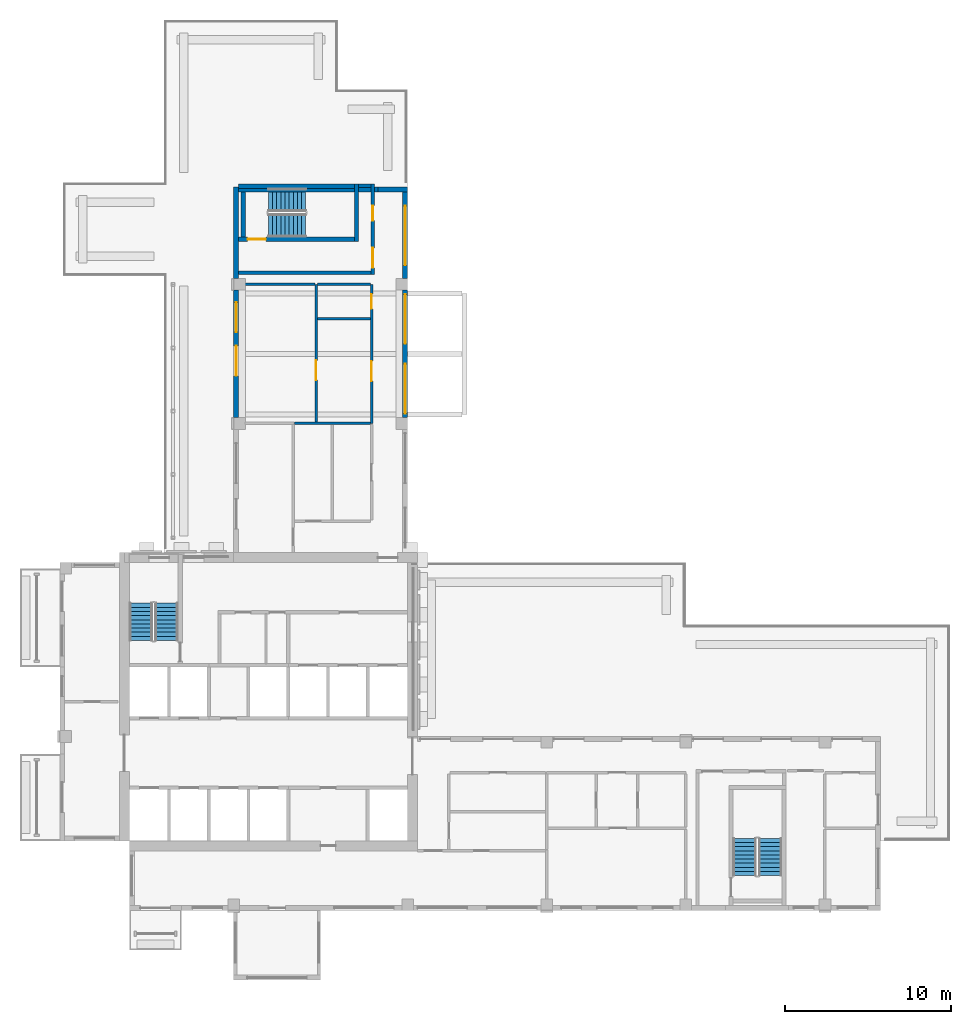
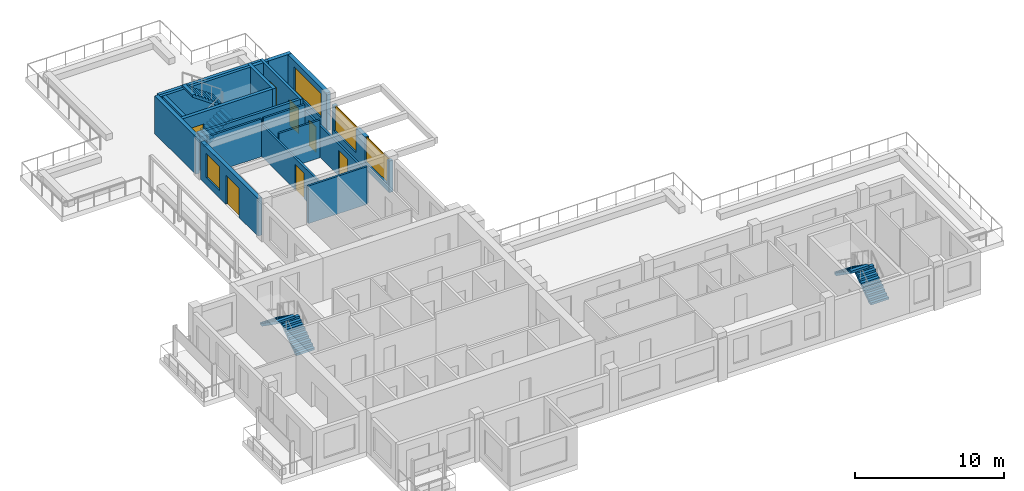
# One storey, part 7 of 12: 19 walls, 7 doors, 6 stair flights, 4 windows, 11 openings, 3 elements without a shape of their own.
"""IFC4 building model written with IfcOpenShell, lengths in metres."""

from ifc_helpers import new_model, si_unit, direction, frame, frame_2d, origin, place, context, subcontext, project, spatial, polyline, rectangle, outline, extrude, source, transform, mapped, material, layer, layer_set, type_object, element, fill, aggregate, save


model = new_model("IFC4")

# Units and contexts
model_context = context("Model", 3, precision=1e-05, world=origin(), true_north=direction((0.0, 1.0)))
body_context = subcontext(model_context, "Body", "Model", "MODEL_VIEW")
ifc_project = project(units=[si_unit("LENGTHUNIT", "METRE"), si_unit("AREAUNIT", "SQUARE_METRE"), si_unit("VOLUMEUNIT", "CUBIC_METRE"), si_unit("PLANEANGLEUNIT", "RADIAN"), si_unit("MASSUNIT", "GRAM", prefix="KILO")], contexts=[model_context])

# Site, building, storey
site_placement = place(None, origin())
site = spatial("IfcSite", under=ifc_project, at=site_placement, CompositionType="ELEMENT")
building_placement = place(site_placement, origin())
building = spatial("IfcBuilding", under=site, at=building_placement, Name="Aurelian Terraces", CompositionType="ELEMENT")
storey_placement = place(building_placement, frame((0.0, 0.0, 284.5)))
storey = spatial("IfcBuildingStorey", under=building, at=storey_placement, Name="L64", CompositionType="ELEMENT", Elevation=284.5)

# Wall, openings, windows
ifc_material_1 = material(Name="Terracotta rainscreen cladding", Category="masonry")
ifc_layer_1 = layer(ifc_material_1, 0.3)
ifc_layer_set_1 = layer_set([ifc_layer_1], Name="EW-300")
wall_type_1 = type_object("IfcWallType", Name="EW-300", PredefinedType="STANDARD", material=ifc_layer_set_1)
wall_1_placement = place(storey_placement, frame((20.85, 29.75, 0.0), z_axis=(0.0, 0.0, 1.0), x_axis=(0.0, 1.0, 0.0)))
wall_1 = element("IfcWall", 1, at=wall_1_placement, inside=storey, type_object=wall_type_1, Name="External wall L64 F04.12", PredefinedType="STANDARD", context=body_context, shape_type="SweptSolid", body=[
    extrude(rectangle(XDim=7.7, YDim=0.3, at=frame_2d((3.85, 0.0))), origin(), (0.0, 0.0, 1.0), 2.6),
])
shared_shape_1 = source(origin(), body_context, "Body", "SweptSolid", [
    extrude(rectangle(XDim=3.0, YDim=2.0, at=frame_2d((1.5, 1.0))), frame((0.0, 0.16, 0.0), z_axis=(0.0, -1.0, 0.0), x_axis=(1.0, 0.0, 0.0)), (0.0, 0.0, 1.0), 0.32),
])
opening_1_placement = place(wall_1_placement, frame((0.25, 0.0, 0.6)))
opening_1 = element("IfcOpeningElement", 2, at=opening_1_placement, cuts=wall_1, Name="Opening W3020", PredefinedType="OPENING", context=body_context, shape_type="MappedRepresentation", body=[
    mapped(shared_shape_1, transform((0.0, 0.0, 0.0), scale=1.0)),
])
opening_2_placement = place(wall_1_placement, frame((4.45, 0.0, 0.6)))
opening_2 = element("IfcOpeningElement", 3, at=opening_2_placement, cuts=wall_1, Name="Opening W3020", PredefinedType="OPENING", context=body_context, shape_type="MappedRepresentation", body=[
    mapped(shared_shape_1, transform((0.0, 0.0, 0.0), scale=1.0)),
])
ifc_material_2 = material(Name="Clear glazing", Category="glass")
window_type_1 = type_object("IfcWindowType", Name="W-3000x2000", PartitioningType="SINGLE_PANEL", PredefinedType="WINDOW", material=ifc_material_2)
shared_shape_2 = source(origin(), body_context, "Body", "SweptSolid", [
    extrude(rectangle(XDim=3.0, YDim=2.0, at=frame_2d((1.5, 1.0))), frame((0.0, 0.03, 0.0), z_axis=(0.0, -1.0, 0.0), x_axis=(1.0, 0.0, 0.0)), (0.0, 0.0, 1.0), 0.06),
])
window_1_placement = place(opening_1_placement, origin())
window_1 = element("IfcWindow", 4, at=window_1_placement, inside=storey, type_object=window_type_1, Name="Window L64 L64-F04-12-0", OverallHeight=2.0, OverallWidth=3.0, PartitioningType="SINGLE_PANEL", PredefinedType="WINDOW", context=body_context, shape_type="MappedRepresentation", body=[
    mapped(shared_shape_2, transform((0.0, 0.0, 0.0), scale=1.0)),
])
fill(opening_1, window_1)
window_2_placement = place(opening_2_placement, origin())
window_2 = element("IfcWindow", 5, at=window_2_placement, inside=storey, type_object=window_type_1, Name="Window L64 L64-F04-12-1", OverallHeight=2.0, OverallWidth=3.0, PartitioningType="SINGLE_PANEL", PredefinedType="WINDOW", context=body_context, shape_type="MappedRepresentation", body=[
    mapped(shared_shape_2, transform((0.0, 0.0, 0.0), scale=1.0)),
])
fill(opening_2, window_2)

# Wall, opening, window
wall_2_placement = place(storey_placement, frame((20.85, 38.15, 0.0), z_axis=(0.0, 0.0, 1.0), x_axis=(0.0, 1.0, 0.0)))
wall_2 = element("IfcWall", 6, at=wall_2_placement, inside=storey, type_object=wall_type_1, Name="External wall L64 F04.13", PredefinedType="STANDARD", context=body_context, shape_type="SweptSolid", body=[
    extrude(rectangle(XDim=5.53, YDim=0.3, at=frame_2d((2.765, 0.0))), origin(), (0.0, 0.0, 1.0), 3.1),
])
shared_shape_3 = source(origin(), body_context, "Body", "SweptSolid", [
    extrude(rectangle(XDim=3.6, YDim=2.0, at=frame_2d((1.8, 1.0))), frame((0.0, 0.16, 0.0), z_axis=(0.0, -1.0, 0.0), x_axis=(1.0, 0.0, 0.0)), (0.0, 0.0, 1.0), 0.32),
])
opening_3_placement = place(wall_2_placement, frame((0.79, 0.0, 0.6)))
opening_3 = element("IfcOpeningElement", 7, at=opening_3_placement, cuts=wall_2, Name="Opening W3620", PredefinedType="OPENING", context=body_context, shape_type="MappedRepresentation", body=[
    mapped(shared_shape_3, transform((0.0, 0.0, 0.0), scale=1.0)),
])
window_type_2 = type_object("IfcWindowType", Name="W-3600x2000", PartitioningType="SINGLE_PANEL", PredefinedType="WINDOW", material=ifc_material_2)
shared_shape_4 = source(origin(), body_context, "Body", "SweptSolid", [
    extrude(rectangle(XDim=3.6, YDim=2.0, at=frame_2d((1.8, 1.0))), frame((0.0, 0.03, 0.0), z_axis=(0.0, -1.0, 0.0), x_axis=(1.0, 0.0, 0.0)), (0.0, 0.0, 1.0), 0.06),
])
window_3_placement = place(opening_3_placement, origin())
window_3 = element("IfcWindow", 8, at=window_3_placement, inside=storey, type_object=window_type_2, Name="Window L64 L64-F04-13-0", OverallHeight=2.0, OverallWidth=3.6, PartitioningType="SINGLE_PANEL", PredefinedType="WINDOW", context=body_context, shape_type="MappedRepresentation", body=[
    mapped(shared_shape_4, transform((0.0, 0.0, 0.0), scale=1.0)),
])
fill(opening_3, window_3)

# Wall
wall_3_placement = place(storey_placement, frame((21.0, 43.53, 0.0), z_axis=(0.0, 0.0, 1.0), x_axis=(-1.0, 0.0, 0.0)))
element("IfcWall", 9, at=wall_3_placement, inside=storey, type_object=wall_type_1, Name="External wall L64 F05.14", PredefinedType="STANDARD", context=body_context, shape_type="SweptSolid", body=[
    extrude(rectangle(XDim=1.8, YDim=0.3, at=frame_2d((0.9, 0.0))), origin(), (0.0, 0.0, 1.0), 3.1),
])

# Wall, opening, door
ifc_material_3 = material(Name="Gypsum board on steel studs", Category="steel")
ifc_layer_2 = layer(ifc_material_3, 0.15)
ifc_layer_set_2 = layer_set([ifc_layer_2], Name="Partition 150")
wall_type_2 = type_object("IfcWallType", Name="Partition 150", PredefinedType="PARTITIONING", material=ifc_layer_set_2)
wall_4_placement = place(storey_placement, frame((15.475, 29.4, 0.0), z_axis=(0.0, 0.0, 1.0), x_axis=(0.0, 1.0, 0.0)))
wall_4 = element("IfcWall", 10, at=wall_4_placement, inside=storey, type_object=wall_type_2, Name="Partition", PredefinedType="PARTITIONING", context=body_context, shape_type="SweptSolid", body=[
    extrude(rectangle(XDim=8.4, YDim=0.15, at=frame_2d((4.2, 0.0))), origin(), (0.0, 0.0, 1.0), 2.6),
])
shared_shape_5 = source(origin(), body_context, "Body", "SweptSolid", [
    extrude(rectangle(XDim=1.2, YDim=2.1, at=frame_2d((0.6, 1.05))), frame((0.0, 0.085, 0.0), z_axis=(0.0, -1.0, 0.0), x_axis=(1.0, 0.0, 0.0)), (0.0, 0.0, 1.0), 0.17),
])
opening_4_placement = place(wall_4_placement, frame((2.6125, 0.0, 0.0)))
opening_4 = element("IfcOpeningElement", 11, at=opening_4_placement, cuts=wall_4, Name="Opening 764015", PredefinedType="OPENING", context=body_context, shape_type="MappedRepresentation", body=[
    mapped(shared_shape_5, transform((0.0, 0.0, 0.0), scale=1.0)),
])
ifc_material_4 = material(Name="Timber door leaf", Category="wood")
door_type_1 = type_object("IfcDoorType", Name="Room door 1200x2100 right", OperationType="SINGLE_SWING_RIGHT", PredefinedType="DOOR", material=ifc_material_4)
shared_shape_6 = source(origin(), body_context, "Body", "SweptSolid", [
    extrude(rectangle(XDim=1.2, YDim=2.1, at=frame_2d((0.6, 1.05))), frame((0.0, 0.025, 0.0), z_axis=(0.0, -1.0, 0.0), x_axis=(1.0, 0.0, 0.0)), (0.0, 0.0, 1.0), 0.05),
])
door_1_placement = place(opening_4_placement, origin())
door_1 = element("IfcDoor", 12, at=door_1_placement, inside=storey, type_object=door_type_1, Name="Door 764015", OperationType="SINGLE_SWING_RIGHT", OverallHeight=2.1, OverallWidth=1.2, PredefinedType="DOOR", context=body_context, shape_type="MappedRepresentation", body=[
    mapped(shared_shape_6, transform((0.0, 0.0, 0.0), scale=1.0)),
])
fill(opening_4, door_1)

# Walls
ifc_material_5 = material(Name="Concrete fc' 40 MPa", Category="concrete")
ifc_layer_3 = layer(ifc_material_5, 0.3)
ifc_layer_set_3 = layer_set([ifc_layer_3], Name="STAIR BAY WALL 300")
wall_type_3 = type_object("IfcWallType", Name="STAIR BAY WALL 300", PredefinedType="SOLIDWALL", material=ifc_layer_set_3)
wall_5_placement = place(storey_placement, frame((19.2, 43.53, 0.0), z_axis=(0.0, 0.0, 1.0), x_axis=(-1.0, 0.0, 0.0)))
element("IfcWall", 13, at=wall_5_placement, inside=storey, type_object=wall_type_3, Name="Stair bay wall L64 F05.14", PredefinedType="SOLIDWALL", context=body_context, shape_type="SweptSolid", body=[
    extrude(rectangle(XDim=8.6, YDim=0.3, at=frame_2d((4.3, 0.0))), origin(), (0.0, 0.0, 1.0), 3.1),
])
wall_6_placement = place(storey_placement, frame((10.65, 43.68, 0.0), z_axis=(0.0, 0.0, 1.0), x_axis=(0.0, -1.0, 0.0)))
element("IfcWall", 14, at=wall_6_placement, inside=storey, type_object=wall_type_3, Name="Stair bay wall L64 F06.15", PredefinedType="SOLIDWALL", context=body_context, shape_type="SweptSolid", body=[
    extrude(rectangle(XDim=5.53, YDim=0.3, at=frame_2d((2.765, 0.0))), origin(), (0.0, 0.0, 1.0), 3.1),
])
ifc_layer_4 = layer(ifc_material_5, 0.25)
ifc_layer_set_4 = layer_set([ifc_layer_4], Name="Stair enclosure wall 250")
wall_type_4 = type_object("IfcWallType", Name="Stair enclosure wall 250", PredefinedType="SOLIDWALL", material=ifc_layer_set_4)
wall_7_placement = place(storey_placement, frame((11.075, 40.65, 0.0), z_axis=(0.0, 0.0, 1.0), x_axis=(0.0, 1.0, 0.0)))
element("IfcWall", 15, at=wall_7_placement, inside=storey, type_object=wall_type_4, Name="L64 core wall ST-S3U-SS", PredefinedType="SOLIDWALL", context=body_context, shape_type="SweptSolid", body=[
    extrude(rectangle(XDim=2.73, YDim=0.25, at=frame_2d((1.365, 0.0))), origin(), (0.0, 0.0, 1.0), 3.1),
])

# Wall, openings, door, window
shared_shape_7 = source(origin(), body_context, "Body", "SweptSolid", [
    extrude(rectangle(XDim=7.7, YDim=0.3, at=frame_2d((3.85, 0.0))), origin(), (0.0, 0.0, 1.0), 3.1),
])
wall_8_placement = place(storey_placement, frame((10.65, 37.45, 0.0), z_axis=(0.0, 0.0, 1.0), x_axis=(0.0, -1.0, 0.0)))
wall_8 = element("IfcWall", 16, at=wall_8_placement, inside=storey, type_object=wall_type_1, Name="External wall L64 F06.15", PredefinedType="STANDARD", context=body_context, shape_type="MappedRepresentation", body=[
    mapped(shared_shape_7, transform((0.0, 0.0, 0.0), scale=1.0)),
])
shared_shape_8 = source(origin(), body_context, "Body", "SweptSolid", [
    extrude(rectangle(XDim=1.8, YDim=2.4, at=frame_2d((0.9, 1.2))), frame((0.0, 0.16, 0.0), z_axis=(0.0, -1.0, 0.0), x_axis=(1.0, 0.0, 0.0)), (0.0, 0.0, 1.0), 0.32),
])
opening_5_placement = place(wall_8_placement, frame((3.37, 0.0, 0.0)))
opening_5 = element("IfcOpeningElement", 17, at=opening_5_placement, cuts=wall_8, Name="Opening 86410", PredefinedType="OPENING", context=body_context, shape_type="MappedRepresentation", body=[
    mapped(shared_shape_8, transform((0.0, 0.0, 0.0), scale=1.0)),
])
shared_shape_9 = source(origin(), body_context, "Body", "SweptSolid", [
    extrude(rectangle(XDim=1.8, YDim=2.0, at=frame_2d((0.9, 1.0))), frame((0.0, 0.16, 0.0), z_axis=(0.0, -1.0, 0.0), x_axis=(1.0, 0.0, 0.0)), (0.0, 0.0, 1.0), 0.32),
])
opening_6_placement = place(wall_8_placement, frame((0.735, 0.0, 0.6)))
opening_6 = element("IfcOpeningElement", 18, at=opening_6_placement, cuts=wall_8, Name="Opening W1820", PredefinedType="OPENING", context=body_context, shape_type="MappedRepresentation", body=[
    mapped(shared_shape_9, transform((0.0, 0.0, 0.0), scale=1.0)),
])
door_type_2 = type_object("IfcDoorType", Name="BD-1800x2400", OperationType="SLIDING_TO_LEFT", PredefinedType="DOOR", material=ifc_material_2)
shared_shape_10 = source(origin(), body_context, "Body", "SweptSolid", [
    extrude(rectangle(XDim=1.8, YDim=2.4, at=frame_2d((0.9, 1.2))), frame((0.0, 0.025, 0.0), z_axis=(0.0, -1.0, 0.0), x_axis=(1.0, 0.0, 0.0)), (0.0, 0.0, 1.0), 0.05),
])
door_2_placement = place(opening_5_placement, origin())
door_2 = element("IfcDoor", 19, at=door_2_placement, inside=storey, type_object=door_type_2, Name="Terrace door L64 L64-F06-15.3", OperationType="SLIDING_TO_LEFT", OverallHeight=2.4, OverallWidth=1.8, PredefinedType="DOOR", context=body_context, shape_type="MappedRepresentation", body=[
    mapped(shared_shape_10, transform((0.0, 0.0, 0.0), scale=1.0)),
])
fill(opening_5, door_2)
window_type_3 = type_object("IfcWindowType", Name="W-1800x2000", PartitioningType="SINGLE_PANEL", PredefinedType="WINDOW", material=ifc_material_2)
shared_shape_11 = source(origin(), body_context, "Body", "SweptSolid", [
    extrude(rectangle(XDim=1.8, YDim=2.0, at=frame_2d((0.9, 1.0))), frame((0.0, 0.03, 0.0), z_axis=(0.0, -1.0, 0.0), x_axis=(1.0, 0.0, 0.0)), (0.0, 0.0, 1.0), 0.06),
])
window_4_placement = place(opening_6_placement, origin())
window_4 = element("IfcWindow", 20, at=window_4_placement, inside=storey, type_object=window_type_3, Name="Window L64 L64-F06-15-G1-62", OverallHeight=2.0, OverallWidth=1.8, PartitioningType="SINGLE_PANEL", PredefinedType="WINDOW", context=body_context, shape_type="MappedRepresentation", body=[
    mapped(shared_shape_11, transform((0.0, 0.0, 0.0), scale=1.0)),
])
fill(opening_6, window_4)

# Wall, opening, door
shared_shape_12 = source(origin(), body_context, "Body", "SweptSolid", [
    extrude(rectangle(XDim=7.0, YDim=0.25, at=frame_2d((3.5, 0.0))), origin(), (0.0, 0.0, 1.0), 3.1),
])
wall_9_placement = place(storey_placement, frame((10.8, 40.525, 0.0), z_axis=(0.0, 0.0, 1.0), x_axis=(1.0, 0.0, 0.0)))
wall_9 = element("IfcWall", 21, at=wall_9_placement, inside=storey, type_object=wall_type_4, Name="L64 core wall ST-S3U-W", PredefinedType="SOLIDWALL", context=body_context, shape_type="MappedRepresentation", body=[
    mapped(shared_shape_12, transform((0.0, 0.0, 0.0), scale=1.0)),
])
shared_shape_13 = source(origin(), body_context, "Body", "SweptSolid", [
    extrude(rectangle(XDim=1.1, YDim=2.1, at=frame_2d((0.55, 1.05))), frame((0.0, 0.135, 0.0), z_axis=(0.0, -1.0, 0.0), x_axis=(1.0, 0.0, 0.0)), (0.0, 0.0, 1.0), 0.27),
])
opening_7_placement = place(wall_9_placement, frame((0.55, 0.0, 0.0)))
opening_7 = element("IfcOpeningElement", 22, at=opening_7_placement, cuts=wall_9, Name="Opening 66718", PredefinedType="OPENING", context=body_context, shape_type="MappedRepresentation", body=[
    mapped(shared_shape_13, transform((0.0, 0.0, 0.0), scale=1.0)),
])
ifc_material_6 = material(Name="Steel door leaf", Category="steel")
door_type_3 = type_object("IfcDoorType", Name="Core fire door 1100x2100 right", OperationType="SINGLE_SWING_RIGHT", PredefinedType="DOOR", material=ifc_material_6)
shared_shape_14 = source(origin(), body_context, "Body", "SweptSolid", [
    extrude(rectangle(XDim=1.1, YDim=2.1, at=frame_2d((0.55, 1.05))), frame((0.0, 0.025, 0.0), z_axis=(0.0, -1.0, 0.0), x_axis=(1.0, 0.0, 0.0)), (0.0, 0.0, 1.0), 0.05),
])
door_3_placement = place(opening_7_placement, origin())
door_3 = element("IfcDoor", 23, at=door_3_placement, inside=storey, type_object=door_type_3, Name="Stair door 66718", OperationType="SINGLE_SWING_RIGHT", OverallHeight=2.1, OverallWidth=1.1, PredefinedType="DOOR", context=body_context, shape_type="MappedRepresentation", body=[
    mapped(shared_shape_14, transform((0.0, 0.0, 0.0), scale=1.0)),
])
fill(opening_7, door_3)

# Walls
wall_10_placement = place(storey_placement, frame((10.8, 43.725, 0.0), z_axis=(0.0, 0.0, 1.0), x_axis=(1.0, 0.0, 0.0)))
element("IfcWall", 24, at=wall_10_placement, inside=storey, type_object=wall_type_4, Name="L64 core wall ST-S3U-E", PredefinedType="SOLIDWALL", context=body_context, shape_type="MappedRepresentation", body=[
    mapped(shared_shape_12, transform((0.0, 0.0, 0.0), scale=1.0)),
])
shared_shape_15 = source(origin(), body_context, "Body", "SweptSolid", [
    extrude(rectangle(XDim=3.45, YDim=0.25, at=frame_2d((1.725, 0.0))), origin(), (0.0, 0.0, 1.0), 3.1),
])
wall_11_placement = place(storey_placement, frame((17.925, 40.4, 0.0), z_axis=(0.0, 0.0, 1.0), x_axis=(0.0, 1.0, 0.0)))
element("IfcWall", 25, at=wall_11_placement, inside=storey, type_object=wall_type_4, Name="L64 core wall ST-S3U-N", PredefinedType="SOLIDWALL", context=body_context, shape_type="MappedRepresentation", body=[
    mapped(shared_shape_15, transform((0.0, 0.0, 0.0), scale=1.0)),
])
ifc_layer_5 = layer(ifc_material_3, 0.2)
ifc_layer_set_5 = layer_set([ifc_layer_5], Name="Core partition 200")
wall_type_5 = type_object("IfcWallType", Name="Core partition 200", PredefinedType="PARTITIONING", material=ifc_layer_set_5)
shared_shape_16 = source(origin(), body_context, "Body", "SweptSolid", [
    extrude(rectangle(XDim=8.0, YDim=0.2, at=frame_2d((4.0, 0.0))), origin(), (0.0, 0.0, 1.0), 3.1),
])
wall_12_placement = place(storey_placement, frame((10.8, 38.5, 0.0), z_axis=(0.0, 0.0, 1.0), x_axis=(1.0, 0.0, 0.0)))
element("IfcWall", 26, at=wall_12_placement, inside=storey, type_object=wall_type_5, Name="L64 core wall ST-S3U-VW", PredefinedType="PARTITIONING", context=body_context, shape_type="MappedRepresentation", body=[
    mapped(shared_shape_16, transform((0.0, 0.0, 0.0), scale=1.0)),
])

# Wall, openings, doors
shared_shape_17 = source(origin(), body_context, "Body", "SweptSolid", [
    extrude(rectangle(XDim=5.45, YDim=0.2, at=frame_2d((2.725, 0.0))), origin(), (0.0, 0.0, 1.0), 3.1),
])
wall_13_placement = place(storey_placement, frame((18.9, 38.4, 0.0), z_axis=(0.0, 0.0, 1.0), x_axis=(0.0, 1.0, 0.0)))
wall_13 = element("IfcWall", 27, at=wall_13_placement, inside=storey, type_object=wall_type_5, Name="L64 core wall ST-S3U-BN", PredefinedType="PARTITIONING", context=body_context, shape_type="MappedRepresentation", body=[
    mapped(shared_shape_17, transform((0.0, 0.0, 0.0), scale=1.0)),
])
shared_shape_18 = source(origin(), body_context, "Body", "SweptSolid", [
    extrude(rectangle(XDim=1.2, YDim=2.1, at=frame_2d((0.6, 1.05))), frame((0.0, 0.11, 0.0), z_axis=(0.0, -1.0, 0.0), x_axis=(1.0, 0.0, 0.0)), (0.0, 0.0, 1.0), 0.22),
])
opening_8_placement = place(wall_13_placement, frame((0.4, 0.0, 0.0)))
opening_8 = element("IfcOpeningElement", 28, at=opening_8_placement, cuts=wall_13, Name="Opening 66719", PredefinedType="OPENING", context=body_context, shape_type="MappedRepresentation", body=[
    mapped(shared_shape_18, transform((0.0, 0.0, 0.0), scale=1.0)),
])
shared_shape_19 = source(origin(), body_context, "Body", "SweptSolid", [
    extrude(rectangle(XDim=0.9, YDim=2.1, at=frame_2d((0.45, 1.05))), frame((0.0, 0.11, 0.0), z_axis=(0.0, -1.0, 0.0), x_axis=(1.0, 0.0, 0.0)), (0.0, 0.0, 1.0), 0.22),
])
opening_9_placement = place(wall_13_placement, frame((3.25, 0.0, 0.0)))
opening_9 = element("IfcOpeningElement", 29, at=opening_9_placement, cuts=wall_13, Name="Opening 66720", PredefinedType="OPENING", context=body_context, shape_type="MappedRepresentation", body=[
    mapped(shared_shape_19, transform((0.0, 0.0, 0.0), scale=1.0)),
])
door_type_4 = type_object("IfcDoorType", Name="Core riser door 900x2100 right", OperationType="SINGLE_SWING_RIGHT", PredefinedType="DOOR", material=ifc_material_6)
shared_shape_20 = source(origin(), body_context, "Body", "SweptSolid", [
    extrude(rectangle(XDim=0.9, YDim=2.1, at=frame_2d((0.45, 1.05))), frame((0.0, 0.025, 0.0), z_axis=(0.0, -1.0, 0.0), x_axis=(1.0, 0.0, 0.0)), (0.0, 0.0, 1.0), 0.05),
])
door_4_placement = place(opening_9_placement, origin())
door_4 = element("IfcDoor", 30, at=door_4_placement, inside=storey, type_object=door_type_4, Name="Riser door 66720", OperationType="SINGLE_SWING_RIGHT", OverallHeight=2.1, OverallWidth=0.9, PredefinedType="DOOR", context=body_context, shape_type="MappedRepresentation", body=[
    mapped(shared_shape_20, transform((0.0, 0.0, 0.0), scale=1.0)),
])
fill(opening_9, door_4)
door_type_5 = type_object("IfcDoorType", Name="Core fire door 1200x2100", OperationType="SINGLE_SWING_LEFT", PredefinedType="DOOR", material=ifc_material_6)
door_5_placement = place(opening_8_placement, origin())
door_5 = element("IfcDoor", 31, at=door_5_placement, inside=storey, type_object=door_type_5, Name="Vestibule door 66719", OperationType="SINGLE_SWING_LEFT", OverallHeight=2.1, OverallWidth=1.2, PredefinedType="DOOR", context=body_context, shape_type="MappedRepresentation", body=[
    mapped(shared_shape_6, transform((0.0, 0.0, 0.0), scale=1.0)),
])
fill(opening_8, door_5)

# Walls
shared_shape_21 = source(origin(), body_context, "Body", "SweptSolid", [
    extrude(rectangle(XDim=0.75, YDim=0.2, at=frame_2d((0.375, 0.0))), origin(), (0.0, 0.0, 1.0), 3.1),
])
wall_14_placement = place(storey_placement, frame((18.05, 43.75, 0.0), z_axis=(0.0, 0.0, 1.0), x_axis=(1.0, 0.0, 0.0)))
element("IfcWall", 32, at=wall_14_placement, inside=storey, type_object=wall_type_5, Name="L64 core wall ST-S3U-RE", PredefinedType="PARTITIONING", context=body_context, shape_type="MappedRepresentation", body=[
    mapped(shared_shape_21, transform((0.0, 0.0, 0.0), scale=1.0)),
])
shared_shape_22 = source(origin(), body_context, "Body", "SweptSolid", [
    extrude(rectangle(XDim=4.575, YDim=0.15, at=frame_2d((2.2875, 0.0))), origin(), (0.0, 0.0, 1.0), 3.1),
])
wall_15_placement = place(storey_placement, frame((18.75, 29.4, 0.0), z_axis=(0.0, 0.0, 1.0), x_axis=(-1.0, 0.0, 0.0)))
element("IfcWall", 33, at=wall_15_placement, inside=storey, type_object=wall_type_2, Name="Partition", PredefinedType="PARTITIONING", context=body_context, shape_type="MappedRepresentation", body=[
    mapped(shared_shape_22, transform((0.0, 0.0, 0.0), scale=1.0)),
])
shared_shape_23 = source(origin(), body_context, "Body", "SweptSolid", [
    extrude(rectangle(XDim=3.2, YDim=0.15, at=frame_2d((1.6, 0.0))), origin(), (0.0, 0.0, 1.0), 3.1),
])
wall_16_placement = place(storey_placement, frame((18.75, 35.725, 0.0), z_axis=(0.0, 0.0, 1.0), x_axis=(-1.0, 0.0, 0.0)))
element("IfcWall", 34, at=wall_16_placement, inside=storey, type_object=wall_type_2, Name="Partition", PredefinedType="PARTITIONING", context=body_context, shape_type="MappedRepresentation", body=[
    mapped(shared_shape_23, transform((0.0, 0.0, 0.0), scale=1.0)),
])
ifc_layer_6 = layer(ifc_material_3, 0.15)
ifc_layer_set_6 = layer_set([ifc_layer_6], Name="Fire partition 150")
wall_type_6 = type_object("IfcWallType", Name="Fire partition 150", PredefinedType="PARTITIONING", material=ifc_layer_set_6)
wall_17_placement = place(storey_placement, frame((18.75, 37.8, 0.0), z_axis=(0.0, 0.0, 1.0), x_axis=(-1.0, 0.0, 0.0)))
element("IfcWall", 35, at=wall_17_placement, inside=storey, type_object=wall_type_6, Name="Party wall", PredefinedType="PARTITIONING", context=body_context, shape_type="MappedRepresentation", body=[
    mapped(shared_shape_23, transform((0.0, 0.0, 0.0), scale=1.0)),
])
shared_shape_24 = source(origin(), body_context, "Body", "SweptSolid", [
    extrude(rectangle(XDim=4.201, YDim=0.15, at=frame_2d((2.1005, 0.0))), origin(), (0.0, 0.0, 1.0), 3.1),
])
wall_18_placement = place(storey_placement, frame((15.4, 37.8, 0.0), z_axis=(0.0, 0.0, 1.0), x_axis=(-1.0, 0.0, 0.0)))
element("IfcWall", 36, at=wall_18_placement, inside=storey, type_object=wall_type_6, Name="Party wall", PredefinedType="PARTITIONING", context=body_context, shape_type="MappedRepresentation", body=[
    mapped(shared_shape_24, transform((0.0, 0.0, 0.0), scale=1.0)),
])

# Wall, openings, doors
shared_shape_25 = source(origin(), body_context, "Body", "SweptSolid", [
    extrude(rectangle(XDim=8.4, YDim=0.15, at=frame_2d((4.2, 0.0))), origin(), (0.0, 0.0, 1.0), 2.6),
])
wall_19_placement = place(storey_placement, frame((18.825, 29.4, 0.0), z_axis=(0.0, 0.0, 1.0), x_axis=(0.0, 1.0, 0.0)))
wall_19 = element("IfcWall", 37, at=wall_19_placement, inside=storey, type_object=wall_type_6, Name="Corridor wall", PredefinedType="PARTITIONING", context=body_context, shape_type="MappedRepresentation", body=[
    mapped(shared_shape_25, transform((0.0, 0.0, 0.0), scale=1.0)),
])
opening_10_placement = place(wall_19_placement, frame((2.5625, 0.0, 0.0)))
opening_10 = element("IfcOpeningElement", 38, at=opening_10_placement, cuts=wall_19, Name="Opening 764014", PredefinedType="OPENING", context=body_context, shape_type="MappedRepresentation", body=[
    mapped(shared_shape_5, transform((0.0, 0.0, 0.0), scale=1.0)),
])
shared_shape_26 = source(origin(), body_context, "Body", "SweptSolid", [
    extrude(rectangle(XDim=0.9, YDim=2.1, at=frame_2d((0.45, 1.05))), frame((0.0, 0.085, 0.0), z_axis=(0.0, -1.0, 0.0), x_axis=(1.0, 0.0, 0.0)), (0.0, 0.0, 1.0), 0.17),
])
opening_11_placement = place(wall_19_placement, frame((6.9125, 0.0, 0.0)))
opening_11 = element("IfcOpeningElement", 39, at=opening_11_placement, cuts=wall_19, Name="Opening 764016", PredefinedType="OPENING", context=body_context, shape_type="MappedRepresentation", body=[
    mapped(shared_shape_26, transform((0.0, 0.0, 0.0), scale=1.0)),
])
door_type_6 = type_object("IfcDoorType", Name="Entrance fire door 900x2100 left", OperationType="SINGLE_SWING_LEFT", PredefinedType="DOOR", material=ifc_material_6)
door_6_placement = place(opening_11_placement, origin())
door_6 = element("IfcDoor", 40, at=door_6_placement, inside=storey, type_object=door_type_6, Name="Door 764016", OperationType="SINGLE_SWING_LEFT", OverallHeight=2.1, OverallWidth=0.9, PredefinedType="DOOR", context=body_context, shape_type="MappedRepresentation", body=[
    mapped(shared_shape_20, transform((0.0, 0.0, 0.0), scale=1.0)),
])
fill(opening_11, door_6)
door_type_7 = type_object("IfcDoorType", Name="Entrance fire door 1200x2100 left", OperationType="SINGLE_SWING_LEFT", PredefinedType="DOOR", material=ifc_material_6)
door_7_placement = place(opening_10_placement, origin())
door_7 = element("IfcDoor", 41, at=door_7_placement, inside=storey, type_object=door_type_7, Name="Door 764014", OperationType="SINGLE_SWING_LEFT", OverallHeight=2.1, OverallWidth=1.2, PredefinedType="DOOR", context=body_context, shape_type="MappedRepresentation", body=[
    mapped(shared_shape_6, transform((0.0, 0.0, 0.0), scale=1.0)),
])
fill(opening_10, door_7)

# Stair, stair flights
stair_type = type_object("IfcStairType", Name="Stair 1400", PredefinedType="HALF_TURN_STAIR", material=ifc_material_5)
stair_1_placement = place(storey_placement, origin())
stair_1 = element("IfcStair", 42, at=stair_1_placement, inside=storey, type_object=stair_type, Name="L64 S1", PredefinedType="HALF_TURN_STAIR")
stair_flight_type = type_object("IfcStairFlightType", Name="Stair flight 1400", PredefinedType="STRAIGHT", material=ifc_material_5)
stair_flight_1_placement = place(storey_placement, frame((6.45, 16.3, 2e-08), z_axis=(0.0, 0.0, 1.0), x_axis=(0.0, 1.0, 0.0)))
stair_flight_1 = element("IfcStairFlight", 43, at=stair_flight_1_placement, type_object=stair_flight_type, Name="S1 flight 1", NumberOfRisers=10, NumberOfTreads=9, PredefinedType="STRAIGHT", RiserHeight=0.175, TreadLength=0.25, context=body_context, shape_type="SweptSolid", body=[
    extrude(outline(polyline([(0.0, 0.0), (0.0, 0.175), (0.25, 0.175), (0.25, 0.35), (0.5, 0.35), (0.5, 0.525), (0.75, 0.525), (0.75, 0.7), (1.0, 0.7), (1.0, 0.875), (1.25, 0.875), (1.25, 1.05), (1.5, 1.05), (1.5, 1.225), (1.75, 1.225), (1.75, 1.4), (2.0, 1.4), (2.0, 1.575), (2.25, 1.575), (2.25, 1.75), (2.25, 1.3919), (0.2616, 0.0), (0.0, 0.0)])), frame((0.0, 0.7, 0.0), z_axis=(0.0, -1.0, 0.0), x_axis=(1.0, 0.0, 0.0)), (0.0, 0.0, 1.0), 1.4),
])
shared_shape_27 = source(origin(), body_context, "Body", "SweptSolid", [
    extrude(outline(polyline([(0.0, 0.0), (0.0, 0.175), (0.25, 0.175), (0.25, 0.35), (0.5, 0.35), (0.5, 0.525), (0.75, 0.525), (0.75, 0.7), (1.0, 0.7), (1.0, 0.875), (1.25, 0.875), (1.25, 1.05), (1.5, 1.05), (1.5, 1.225), (1.75, 1.225), (1.75, 1.4), (2.0, 1.4), (2.0, 1.575), (2.25, 1.575), (2.25, 1.75), (2.25, 1.3919), (0.2616, 0.0), (0.0, 0.0)])), frame((0.0, 0.7, 0.0), z_axis=(0.0, -1.0, 0.0), x_axis=(1.0, 0.0, 0.0)), (0.0, 0.0, 1.0), 1.4),
])
stair_flight_2_placement = place(storey_placement, frame((4.9, 18.55, 1.75000002), z_axis=(0.0, 0.0, 1.0), x_axis=(0.0, -1.0, 0.0)))
stair_flight_2 = element("IfcStairFlight", 44, at=stair_flight_2_placement, type_object=stair_flight_type, Name="S1 flight 2", NumberOfRisers=10, NumberOfTreads=9, PredefinedType="STRAIGHT", RiserHeight=0.175, TreadLength=0.25, context=body_context, shape_type="MappedRepresentation", body=[
    mapped(shared_shape_27, transform((0.0, 0.0, 0.0), scale=1.0)),
])
aggregate(stair_1, [stair_flight_1, stair_flight_2])

stair_2_placement = place(storey_placement, origin())
stair_2 = element("IfcStair", 45, at=stair_2_placement, inside=storey, type_object=stair_type, Name="L64 S2", PredefinedType="HALF_TURN_STAIR")
stair_flight_3_placement = place(storey_placement, frame((42.9, 2.1, 2e-08), z_axis=(0.0, 0.0, 1.0), x_axis=(0.0, 1.0, 0.0)))
stair_flight_3 = element("IfcStairFlight", 46, at=stair_flight_3_placement, type_object=stair_flight_type, Name="S2 flight 1", NumberOfRisers=10, NumberOfTreads=9, PredefinedType="STRAIGHT", RiserHeight=0.175, TreadLength=0.25, context=body_context, shape_type="MappedRepresentation", body=[
    mapped(shared_shape_27, transform((0.0, 0.0, 0.0), scale=1.0)),
])
stair_flight_4_placement = place(storey_placement, frame((41.35, 4.35, 1.75000002), z_axis=(0.0, 0.0, 1.0), x_axis=(0.0, -1.0, 0.0)))
stair_flight_4 = element("IfcStairFlight", 47, at=stair_flight_4_placement, type_object=stair_flight_type, Name="S2 flight 2", NumberOfRisers=10, NumberOfTreads=9, PredefinedType="STRAIGHT", RiserHeight=0.175, TreadLength=0.25, context=body_context, shape_type="MappedRepresentation", body=[
    mapped(shared_shape_27, transform((0.0, 0.0, 0.0), scale=1.0)),
])
aggregate(stair_2, [stair_flight_3, stair_flight_4])

stair_3_placement = place(storey_placement, origin())
stair_3 = element("IfcStair", 48, at=stair_3_placement, inside=storey, type_object=stair_type, Name="L64 S3U", PredefinedType="HALF_TURN_STAIR")
stair_flight_5_placement = place(storey_placement, frame((12.6, 41.35, 2e-08), z_axis=(0.0, 0.0, 1.0), x_axis=(1.0, 0.0, 0.0)))
stair_flight_5 = element("IfcStairFlight", 49, at=stair_flight_5_placement, type_object=stair_flight_type, Name="S3U flight 1", NumberOfRisers=10, NumberOfTreads=9, PredefinedType="STRAIGHT", RiserHeight=0.175, TreadLength=0.25, context=body_context, shape_type="MappedRepresentation", body=[
    mapped(shared_shape_27, transform((0.0, 0.0, 0.0), scale=1.0)),
])
stair_flight_6_placement = place(storey_placement, frame((14.85, 42.9, 1.75000002), z_axis=(0.0, 0.0, 1.0), x_axis=(-1.0, 0.0, 0.0)))
stair_flight_6 = element("IfcStairFlight", 50, at=stair_flight_6_placement, type_object=stair_flight_type, Name="S3U flight 2", NumberOfRisers=10, NumberOfTreads=9, PredefinedType="STRAIGHT", RiserHeight=0.175, TreadLength=0.25, context=body_context, shape_type="MappedRepresentation", body=[
    mapped(shared_shape_27, transform((0.0, 0.0, 0.0), scale=1.0)),
])
aggregate(stair_3, [stair_flight_5, stair_flight_6])

save(model, "model.ifc")
